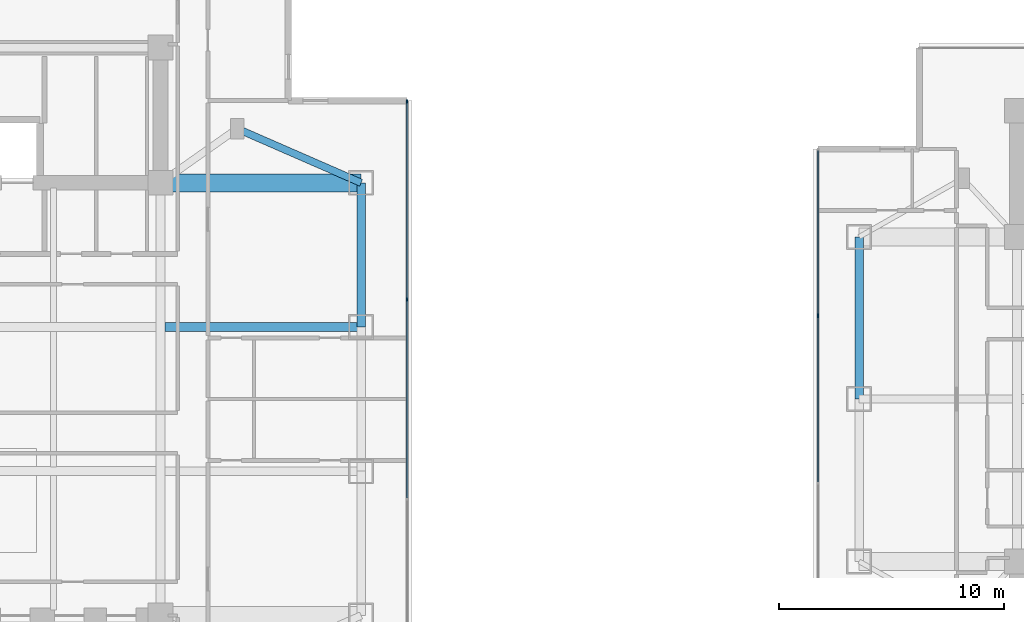
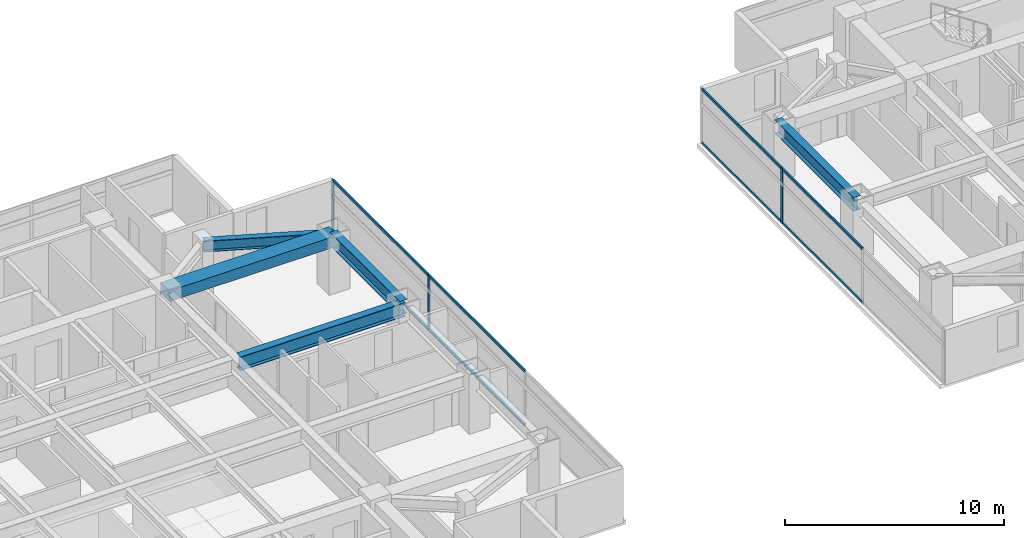
# One storey, part 6 of 27: 11 members, 5 beams, 2 elements without a shape of their own.
"""IFC4 building model written with IfcOpenShell, lengths in metres."""

from ifc_helpers import new_model, si_unit, direction, frame, origin, origin_2d, place, context, subcontext, project, spatial, rectangle, i_section, extrude, material, material_profile, profile_set, type_object, element, aggregate, save


model = new_model("IFC4")

# Units and contexts
model_context = context("Model", 3, precision=1e-05, world=origin(), true_north=direction((0.0, 1.0)))
body_context = subcontext(model_context, "Body", "Model", "MODEL_VIEW")
ifc_project = project(units=[si_unit("LENGTHUNIT", "METRE"), si_unit("AREAUNIT", "SQUARE_METRE"), si_unit("VOLUMEUNIT", "CUBIC_METRE"), si_unit("PLANEANGLEUNIT", "RADIAN"), si_unit("MASSUNIT", "GRAM", prefix="KILO")], contexts=[model_context])

# Site, building, storey
site_placement = place(None, origin())
site = spatial("IfcSite", under=ifc_project, at=site_placement, CompositionType="ELEMENT")
building_placement = place(site_placement, origin())
building = spatial("IfcBuilding", under=site, at=building_placement, Name="Mirazonda Arch Towers", CompositionType="ELEMENT")
storey_placement = place(building_placement, frame((0.0, 0.0, 124.699951171875)))
storey = spatial("IfcBuildingStorey", under=building, at=storey_placement, Name="L35", CompositionType="ELEMENT", Elevation=124.699951171875)

# Beams
ifc_material_1 = material(Name="Steel ASTM A992 Grade 50", Category="steel")
ifc_material_profile_1 = material_profile(ifc_material_1, i_section(OverallWidth=0.381103515625, OverallDepth=0.77294921875, WebThickness=0.0166015625, FlangeThickness=0.027099609375, at=origin_2d()), Name="W30X173")
ifc_profile_set_1 = profile_set([ifc_material_profile_1], Name="Steel ASTM A992 Grade 50")
beam_type_1 = type_object("IfcBeamType", Name="BM-EXT-W30X173", PredefinedType="USERDEFINED", material=ifc_profile_set_1)
beam_1_placement = place(storey_placement, frame((38.89990234375, 31.199951171875, 2.693603515625), z_axis=(0.0, 1.0, 0.0), x_axis=(-1.0, 0.0, 0.0)))
element("IfcBeam", 1, at=beam_1_placement, inside=storey, type_object=beam_type_1, Name="L35 Floor Beam BM-T1-L35-NS-E-31", ObjectType="GIRDER", PredefinedType="USERDEFINED", context=body_context, shape_type="SweptSolid", body=[
    extrude(i_section(OverallWidth=0.381103515625, OverallDepth=0.77294921875, WebThickness=0.0166015625, FlangeThickness=0.027099609375, at=origin_2d()), origin(), (0.0, 0.0, 1.0), 6.400146484375),
])
beam_2_placement = place(storey_placement, frame((61.0, 28.0, 2.693603515625), z_axis=(0.0, 1.0, 0.0), x_axis=(-1.0, 0.0, 0.0)))
element("IfcBeam", 2, at=beam_2_placement, inside=storey, type_object=beam_type_1, Name="L35 Floor Beam BM-T2-L35-NS-W-28", ObjectType="GIRDER", PredefinedType="USERDEFINED", context=body_context, shape_type="SweptSolid", body=[
    extrude(i_section(OverallWidth=0.381103515625, OverallDepth=0.77294921875, WebThickness=0.0166015625, FlangeThickness=0.027099609375, at=origin_2d()), origin(), (0.0, 0.0, 1.0), 7.199951171875),
])
ifc_material_profile_2 = material_profile(ifc_material_1, i_section(OverallWidth=0.324951171875, OverallDepth=0.615966796875, WebThickness=0.013916015625, FlangeThickness=0.021484375, at=origin_2d()), Name="W24X117")
ifc_profile_set_2 = profile_set([ifc_material_profile_2], Name="Steel ASTM A992 Grade 50")
beam_type_2 = type_object("IfcBeamType", Name="BM-INT-W24X117", PredefinedType="BEAM", material=ifc_profile_set_2)
beam_3_placement = place(storey_placement, frame((33.39990234375, 40.0, 2.77197265625), z_axis=(0.916545343703, -0.399930785183, 0.0), x_axis=(0.399930785183, 0.916545343703, 0.0)))
element("IfcBeam", 3, at=beam_3_placement, inside=storey, type_object=beam_type_2, Name="L35 Floor Beam BM-T1-L35-PL-NE2", PredefinedType="BEAM", context=body_context, shape_type="SweptSolid", body=[
    extrude(i_section(OverallWidth=0.324951171875, OverallDepth=0.615966796875, WebThickness=0.013916015625, FlangeThickness=0.021484375, at=origin_2d()), origin(), (0.0, 0.0, 1.0), 6.000732421875),
])
ifc_material_profile_3 = material_profile(ifc_material_1, i_section(OverallWidth=0.381103515625, OverallDepth=0.77294921875, WebThickness=0.0166015625, FlangeThickness=0.027099609375, at=origin_2d()), Name="W30X173")
ifc_profile_set_3 = profile_set([ifc_material_profile_3], Name="Steel ASTM A992 Grade 50")
beam_type_3 = type_object("IfcBeamType", Name="BM-INT-W30X173", PredefinedType="USERDEFINED", material=ifc_profile_set_3)
beam_4_placement = place(storey_placement, frame((30.199951171875, 31.199951171875, 2.693603515625), z_axis=(1.0, 0.0, 0.0), x_axis=(0.0, 1.0, 0.0)))
element("IfcBeam", 4, at=beam_4_placement, inside=storey, type_object=beam_type_3, Name="L35 Floor Beam BM-T1-L35-GE3", ObjectType="GIRDER", PredefinedType="USERDEFINED", context=body_context, shape_type="SweptSolid", body=[
    extrude(i_section(OverallWidth=0.381103515625, OverallDepth=0.77294921875, WebThickness=0.0166015625, FlangeThickness=0.027099609375, at=origin_2d()), origin(), (0.0, 0.0, 1.0), 8.699951171875),
])
ifc_material_2 = material(Name="Concrete C60/75", Category="concrete")
ifc_material_profile_4 = material_profile(ifc_material_2, rectangle(XDim=0.800048828125, YDim=0.60009765625, at=origin_2d()), Name="RCCB800x600")
ifc_profile_set_4 = profile_set([ifc_material_profile_4], Name="Concrete C60/75")
beam_type_4 = type_object("IfcBeamType", Name="CB-INT-RCCB800x600", PredefinedType="SPANDREL", material=ifc_profile_set_4)
beam_5_placement = place(storey_placement, frame((30.0, 37.60009765625, 2.780029296875), z_axis=(1.0, 0.0, 0.0), x_axis=(0.0, 1.0, 0.0)))
element("IfcBeam", 5, at=beam_5_placement, inside=storey, type_object=beam_type_4, Name="L35 Floor Beam CBC-T1-L35-NE", PredefinedType="SPANDREL", context=body_context, shape_type="SweptSolid", body=[
    extrude(rectangle(XDim=0.800048828125, YDim=0.60009765625, at=origin_2d()), origin(), (0.0, 0.0, 1.0), 8.89990234375),
])

# Curtain wall, members
ifc_material_3 = material(Name="Anodised Aluminium and Low-E Glass", Category="aluminium")
curtain_wall_type = type_object("IfcCurtainWallType", Name="CW-HTL-UNIT", PredefinedType="NOTDEFINED", material=ifc_material_3)
curtain_wall_1_placement = place(storey_placement, origin())
curtain_wall_1 = element("IfcCurtainWall", 6, at=curtain_wall_1_placement, inside=storey, type_object=curtain_wall_type, Name="L35 T1 E Facade CW-L35-T1-E", PredefinedType="NOTDEFINED")
ifc_material_4 = material(Name="Anodised Aluminium Alloy", Category="aluminium")
ifc_material_profile_5 = material_profile(ifc_material_4, rectangle(XDim=0.074951171875, YDim=0.1650390625, at=origin_2d()), Name="ALU-MULL-75x165")
ifc_profile_set_5 = profile_set([ifc_material_profile_5], Name="Anodised Aluminium Alloy")
member_type_1 = type_object("IfcMemberType", Name="MULL-CW-HTL-UNIT", PredefinedType="MULLION", material=ifc_profile_set_5)
member_1_placement = place(storey_placement, frame((40.93994140625, 32.415283203125, 0.0), z_axis=(0.0, 0.0, 1.0), x_axis=(-1.0, 0.0, 0.0)))
member_1 = element("IfcMember", 7, at=member_1_placement, type_object=member_type_1, Name="CW-112 mullion 3", PredefinedType="MULLION", context=body_context, shape_type="SweptSolid", body=[
    extrude(rectangle(XDim=0.074951171875, YDim=0.1650390625, at=origin_2d()), origin(), (0.0, 0.0, 1.0), 3.06005859375),
])
member_2_placement = place(storey_placement, frame((40.93994140625, 41.20849609375, 0.0), z_axis=(0.0, 0.0, 1.0), x_axis=(-1.0, 0.0, 0.0)))
member_2 = element("IfcMember", 8, at=member_2_placement, type_object=member_type_1, Name="CW-112 mullion 4", PredefinedType="MULLION", context=body_context, shape_type="SweptSolid", body=[
    extrude(rectangle(XDim=0.074951171875, YDim=0.1650390625, at=origin_2d()), origin(), (0.0, 0.0, 1.0), 3.06005859375),
])

# Curtain wall, member
curtain_wall_2_placement = place(storey_placement, origin())
curtain_wall_2 = element("IfcCurtainWall", 9, at=curtain_wall_2_placement, inside=storey, type_object=curtain_wall_type, Name="L35 T2 W Facade CW-L35-T2-W", PredefinedType="NOTDEFINED")
member_3_placement = place(storey_placement, frame((59.178955078125, 31.69970703125, 0.0), z_axis=(0.0, 0.0, 1.0), x_axis=(1.0, 0.0, 0.0)))
member_3 = element("IfcMember", 10, at=member_3_placement, type_object=member_type_1, Name="CW-112 mullion 2", PredefinedType="MULLION", context=body_context, shape_type="SweptSolid", body=[
    extrude(rectangle(XDim=0.074951171875, YDim=0.1650390625, at=origin_2d()), origin(), (0.0, 0.0, 1.0), 3.06005859375),
])

# Member
ifc_material_profile_6 = material_profile(ifc_material_4, rectangle(XDim=0.074951171875, YDim=0.14501953125, at=origin_2d()), Name="ALU-TRAN-75x145")
ifc_profile_set_6 = profile_set([ifc_material_profile_6], Name="Anodised Aluminium Alloy")
member_type_2 = type_object("IfcMemberType", Name="TRAN-CW-HTL-UNIT", PredefinedType="USERDEFINED", material=ifc_profile_set_6)
member_4_placement = place(storey_placement, frame((40.93994140625, 23.6220703125, 0.03759765625), z_axis=(0.0, 1.0, 0.0), x_axis=(-1.0, 0.0, 0.0)))
member_4 = element("IfcMember", 11, at=member_4_placement, type_object=member_type_2, Name="CW-112 transom 2.1", ObjectType="TRANSOM", PredefinedType="USERDEFINED", context=body_context, shape_type="SweptSolid", body=[
    extrude(rectangle(XDim=0.074951171875, YDim=0.14501953125, at=origin_2d()), origin(), (0.0, 0.0, 1.0), 8.755859375),
])

member_5_placement = place(storey_placement, frame((40.93994140625, 23.6220703125, 3.0224609375), z_axis=(0.0, 1.0, 0.0), x_axis=(-1.0, 0.0, 0.0)))
member_5 = element("IfcMember", 12, at=member_5_placement, type_object=member_type_2, Name="CW-112 transom 2.2", ObjectType="TRANSOM", PredefinedType="USERDEFINED", context=body_context, shape_type="SweptSolid", body=[
    extrude(rectangle(XDim=0.074951171875, YDim=0.14501953125, at=origin_2d()), origin(), (0.0, 0.0, 1.0), 8.755859375),
])

member_6_placement = place(storey_placement, frame((40.93994140625, 32.452880859375, 0.03759765625), z_axis=(0.0, 1.0, 0.0), x_axis=(-1.0, 0.0, 0.0)))
member_6 = element("IfcMember", 13, at=member_6_placement, type_object=member_type_2, Name="CW-112 transom 3.1", ObjectType="TRANSOM", PredefinedType="USERDEFINED", context=body_context, shape_type="SweptSolid", body=[
    extrude(rectangle(XDim=0.074951171875, YDim=0.14501953125, at=origin_2d()), origin(), (0.0, 0.0, 1.0), 8.718017578125),
])

member_7_placement = place(storey_placement, frame((40.93994140625, 32.452880859375, 3.0224609375), z_axis=(0.0, 1.0, 0.0), x_axis=(-1.0, 0.0, 0.0)))
member_7 = element("IfcMember", 14, at=member_7_placement, type_object=member_type_2, Name="CW-112 transom 3.2", ObjectType="TRANSOM", PredefinedType="USERDEFINED", context=body_context, shape_type="SweptSolid", body=[
    extrude(rectangle(XDim=0.074951171875, YDim=0.14501953125, at=origin_2d()), origin(), (0.0, 0.0, 1.0), 8.718017578125),
])

aggregate(curtain_wall_1, [member_1, member_2, member_4, member_5, member_6, member_7])

member_8_placement = place(storey_placement, frame((59.178955078125, 39.024169921875, 0.03759765625), z_axis=(0.0, -1.0, 0.0), x_axis=(1.0, 0.0, 0.0)))
member_8 = element("IfcMember", 15, at=member_8_placement, type_object=member_type_2, Name="CW-112 transom 1.1", ObjectType="TRANSOM", PredefinedType="USERDEFINED", context=body_context, shape_type="SweptSolid", body=[
    extrude(rectangle(XDim=0.074951171875, YDim=0.14501953125, at=origin_2d()), origin(), (0.0, 0.0, 1.0), 7.286865234375),
])

member_9_placement = place(storey_placement, frame((59.178955078125, 39.024169921875, 3.0224609375), z_axis=(0.0, -1.0, 0.0), x_axis=(1.0, 0.0, 0.0)))
member_9 = element("IfcMember", 16, at=member_9_placement, type_object=member_type_2, Name="CW-112 transom 1.2", ObjectType="TRANSOM", PredefinedType="USERDEFINED", context=body_context, shape_type="SweptSolid", body=[
    extrude(rectangle(XDim=0.074951171875, YDim=0.14501953125, at=origin_2d()), origin(), (0.0, 0.0, 1.0), 7.286865234375),
])

member_10_placement = place(storey_placement, frame((59.178955078125, 31.662109375, 0.03759765625), z_axis=(0.0, -1.0, 0.0), x_axis=(1.0, 0.0, 0.0)))
member_10 = element("IfcMember", 17, at=member_10_placement, type_object=member_type_2, Name="CW-112 transom 2.1", ObjectType="TRANSOM", PredefinedType="USERDEFINED", context=body_context, shape_type="SweptSolid", body=[
    extrude(rectangle(XDim=0.074951171875, YDim=0.14501953125, at=origin_2d()), origin(), (0.0, 0.0, 1.0), 7.32421875),
])

member_11_placement = place(storey_placement, frame((59.178955078125, 31.662109375, 3.0224609375), z_axis=(0.0, -1.0, 0.0), x_axis=(1.0, 0.0, 0.0)))
member_11 = element("IfcMember", 18, at=member_11_placement, type_object=member_type_2, Name="CW-112 transom 2.2", ObjectType="TRANSOM", PredefinedType="USERDEFINED", context=body_context, shape_type="SweptSolid", body=[
    extrude(rectangle(XDim=0.074951171875, YDim=0.14501953125, at=origin_2d()), origin(), (0.0, 0.0, 1.0), 7.32421875),
])

aggregate(curtain_wall_2, [member_3, member_8, member_9, member_10, member_11])

save(model, "model.ifc")
